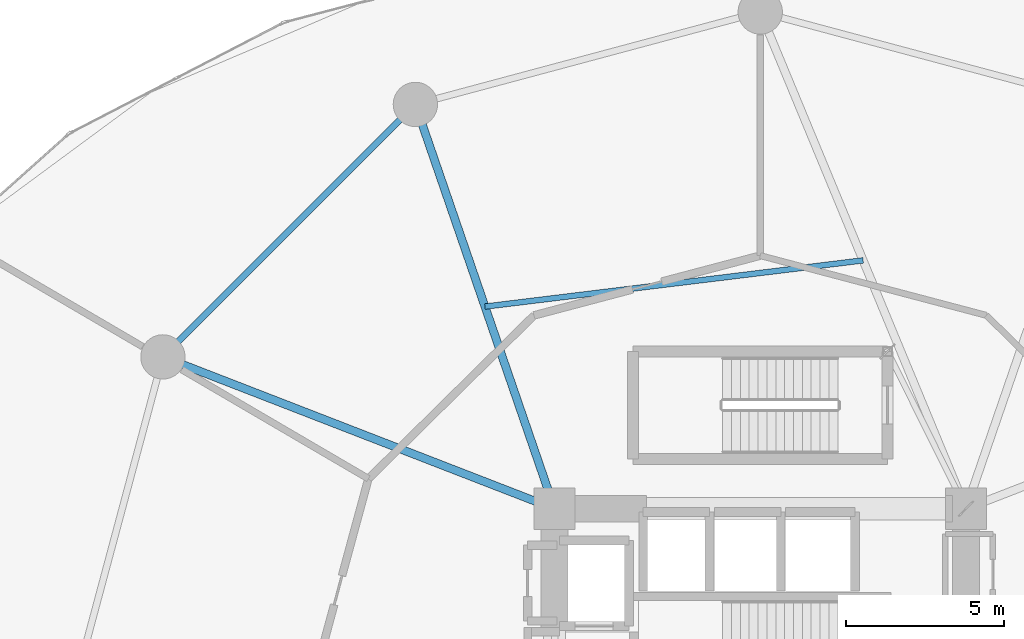
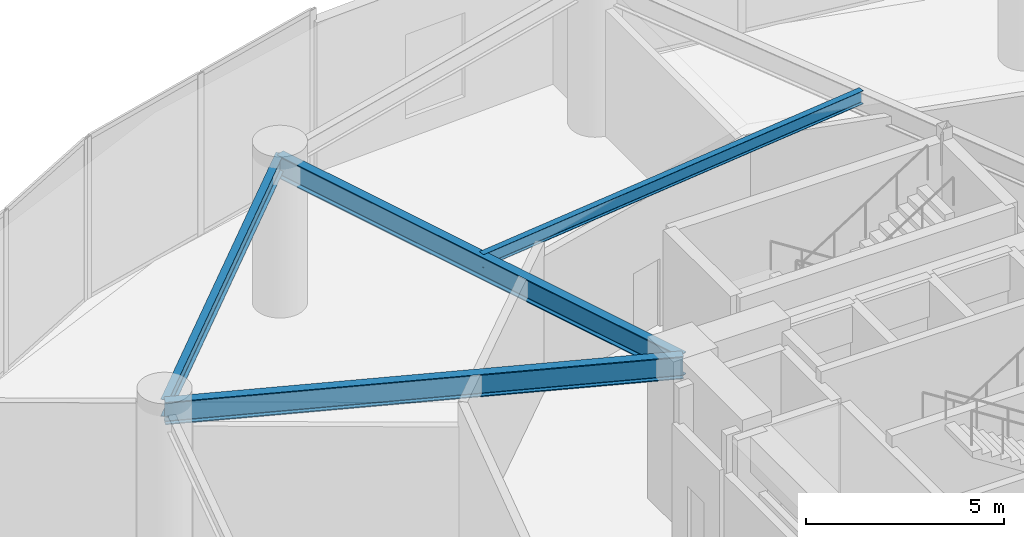
# One storey, part 17 of 31: 4 beams.
"""IFC4 building model written with IfcOpenShell, lengths in metres."""

from ifc_helpers import new_model, si_unit, direction, frame, origin, origin_2d, place, context, subcontext, project, spatial, i_section, extrude, material, material_profile, profile_set, type_object, element, save


model = new_model("IFC4")

# Units and contexts
model_context = context("Model", 3, precision=1e-05, world=origin(), true_north=direction((0.0, 1.0)))
body_context = subcontext(model_context, "Body", "Model", "MODEL_VIEW")
ifc_project = project(units=[si_unit("LENGTHUNIT", "METRE"), si_unit("AREAUNIT", "SQUARE_METRE"), si_unit("VOLUMEUNIT", "CUBIC_METRE"), si_unit("PLANEANGLEUNIT", "RADIAN"), si_unit("MASSUNIT", "GRAM", prefix="KILO")], contexts=[model_context])

# Site, building, storey
site_placement = place(None, origin())
site = spatial("IfcSite", under=ifc_project, at=site_placement, CompositionType="ELEMENT")
building_placement = place(site_placement, origin())
building = spatial("IfcBuilding", under=site, at=building_placement, Name="Solvirekh Grand Hotel", CompositionType="ELEMENT")
storey_placement = place(building_placement, frame((0.0, 0.0, 18.60009765625)))
storey = spatial("IfcBuildingStorey", under=building, at=storey_placement, Name="L03", CompositionType="ELEMENT", Elevation=18.60009765625)

# Beams
ifc_material = material(Name="Steel S355", Category="steel")
ifc_material_profile_1 = material_profile(ifc_material, i_section(OverallWidth=0.2548828125, OverallDepth=0.695068359375, WebThickness=0.01611328125, FlangeThickness=0.028076171875, FilletRadius=0.01611328125, at=origin_2d()), Name="W690X217")
ifc_profile_set_1 = profile_set([ifc_material_profile_1], Name="Steel S355")
beam_type_1 = type_object("IfcBeamType", Name="Beam_Primary_W690", PredefinedType="BEAM", material=ifc_profile_set_1)
beam_1_placement = place(storey_placement, frame((-6.5, 6.10009765625, 4.2919921875), z_axis=(-0.325555300394, 0.94552300151, 0.0), x_axis=(-0.94552300151, -0.325555300394, 0.0)))
element("IfcBeam", 1, at=beam_1_placement, inside=storey, type_object=beam_type_1, Name="L03 radial floor beam R05", PredefinedType="BEAM", context=body_context, shape_type="SweptSolid", body=[
    extrude(i_section(OverallWidth=0.2548828125, OverallDepth=0.695068359375, WebThickness=0.01611328125, FlangeThickness=0.028076171875, FilletRadius=0.01611328125, at=origin_2d()), origin(), (0.0, 0.0, 1.0), 13.51513671875),
])
beam_2_placement = place(storey_placement, frame((-6.5, 6.10009765625, 4.2919921875), z_axis=(-0.932365862704, 0.361516110381, 0.0), x_axis=(-0.361516110381, -0.932365862704, 0.0)))
element("IfcBeam", 2, at=beam_2_placement, inside=storey, type_object=beam_type_1, Name="L03 radial floor beam R06", PredefinedType="BEAM", context=body_context, shape_type="SweptSolid", body=[
    extrude(i_section(OverallWidth=0.2548828125, OverallDepth=0.695068359375, WebThickness=0.01611328125, FlangeThickness=0.028076171875, FilletRadius=0.01611328125, at=origin_2d()), origin(), (0.0, 0.0, 1.0), 13.27685546875),
])
ifc_material_profile_2 = material_profile(ifc_material, i_section(OverallWidth=0.177978515625, OverallDepth=0.406982421875, WebThickness=0.008056640625, FlangeThickness=0.011962890625, FilletRadius=0.011962890625, at=origin_2d()), Name="W410X60")
ifc_profile_set_2 = profile_set([ifc_material_profile_2], Name="Steel S355")
beam_type_2 = type_object("IfcBeamType", Name="Joist_Floor_W410", PredefinedType="JOIST", material=ifc_profile_set_2)
beam_3_placement = place(storey_placement, frame((3.25, 13.949951171875, 4.43701171875), z_axis=(-0.992609637169, -0.121351177167, 0.0), x_axis=(0.121351177167, -0.992609637169, 0.0)))
element("IfcBeam", 3, at=beam_3_placement, inside=storey, type_object=beam_type_2, Name="L03 secondary composite floor joist 4", PredefinedType="JOIST", context=body_context, shape_type="SweptSolid", body=[
    extrude(i_section(OverallWidth=0.177978515625, OverallDepth=0.406982421875, WebThickness=0.008056640625, FlangeThickness=0.011962890625, FilletRadius=0.011962890625, at=origin_2d()), origin(), (0.0, 0.0, 1.0), 12.038818359375),
])
ifc_material_profile_3 = material_profile(ifc_material, i_section(OverallWidth=0.208984375, OverallDepth=0.532958984375, WebThickness=0.010009765625, FlangeThickness=0.014892578125, FilletRadius=0.013916015625, at=origin_2d()), Name="W530X92")
ifc_profile_set_3 = profile_set([ifc_material_profile_3], Name="Steel S355")
beam_type_3 = type_object("IfcBeamType", Name="Spandrel_Ring_W530", PredefinedType="SPANDREL", material=ifc_profile_set_3)
beam_4_placement = place(storey_placement, frame((-10.89990234375, 18.87890625, 4.372802734375), z_axis=(-0.707106781187, -0.707106781187, 0.0), x_axis=(0.707106781187, -0.707106781187, 0.0)))
element("IfcBeam", 4, at=beam_4_placement, inside=storey, type_object=beam_type_3, Name="L03 perimeter spandrel beam 5", PredefinedType="SPANDREL", context=body_context, shape_type="SweptSolid", body=[
    extrude(i_section(OverallWidth=0.208984375, OverallDepth=0.532958984375, WebThickness=0.010009765625, FlangeThickness=0.014892578125, FilletRadius=0.013916015625, at=origin_2d()), origin(), (0.0, 0.0, 1.0), 11.283935546875),
])

save(model, "model.ifc")
